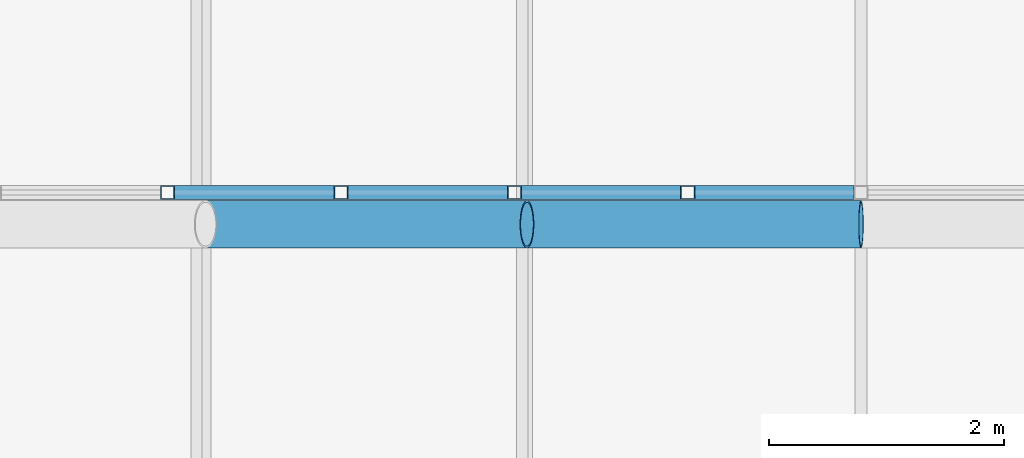
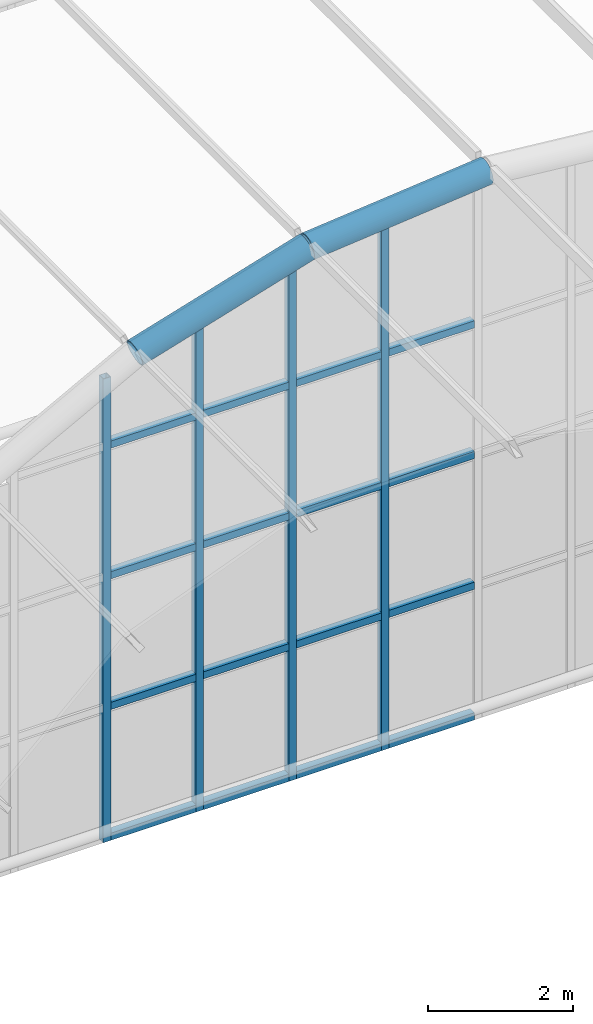
# One storey, part 35 of 121: 22 members, 1 element without a shape of its own.
"""IFC4 building model written with IfcOpenShell, lengths in metres."""

from ifc_helpers import new_model, si_unit, direction, frame, origin, origin_2d, place, context, subcontext, project, spatial, hollow_rectangle, hollow_circle, extrude, material, material_profile, profile_set, type_object, element, aggregate, save


model = new_model("IFC4")

# Units and contexts
model_context = context("Model", 3, precision=1e-05, world=origin(), true_north=direction((0.0, 1.0)))
body_context = subcontext(model_context, "Body", "Model", "MODEL_VIEW")
ifc_project = project(units=[si_unit("LENGTHUNIT", "METRE"), si_unit("AREAUNIT", "SQUARE_METRE"), si_unit("VOLUMEUNIT", "CUBIC_METRE"), si_unit("PLANEANGLEUNIT", "RADIAN"), si_unit("MASSUNIT", "GRAM", prefix="KILO")], contexts=[model_context])

# Site, building, storey
site_placement = place(None, origin())
site = spatial("IfcSite", under=ifc_project, at=site_placement, CompositionType="ELEMENT")
building_placement = place(site_placement, origin())
building = spatial("IfcBuilding", under=site, at=building_placement, Name="Golden Quay Civic Hall", CompositionType="ELEMENT")
storey_placement = place(building_placement, frame((0.0, 0.0, 18.60009765625)))
storey = spatial("IfcBuildingStorey", under=building, at=storey_placement, Name="L04", CompositionType="ELEMENT", Elevation=18.60009765625)

# Curtain wall, members
ifc_material_1 = material(Name="Fire-resisting glass and steel", Category="steel")
curtain_wall_type = type_object("IfcCurtainWallType", Name="Fire-resisting glazed curtain wall EI 120", PredefinedType="NOTDEFINED", material=ifc_material_1)
curtain_wall_placement = place(storey_placement, origin())
curtain_wall = element("IfcCurtainWall", 1, at=curtain_wall_placement, inside=storey, type_object=curtain_wall_type, Name="Curtain wall tympanum fire2", PredefinedType="NOTDEFINED")
ifc_material_2 = material(Name="Steel S355", Category="steel")
ifc_material_profile_1 = material_profile(ifc_material_2, hollow_rectangle(XDim=0.1201171875, YDim=0.1201171875, WallThickness=0.008056640625, at=origin_2d()), Name="SHS 120x120x8")
ifc_profile_set_1 = profile_set([ifc_material_profile_1], Name="Steel S355")
member_type_1 = type_object("IfcMemberType", Name="Fire-resisting steel mullion SHS 120x120x8", PredefinedType="MULLION", material=ifc_profile_set_1)
member_1_placement = place(storey_placement, frame((79.5888671875, 36.27001953125, -0.25), z_axis=(0.0, 0.0, 1.0), x_axis=(0.0, 1.0, 0.0)))
member_1 = element("IfcMember", 2, at=member_1_placement, type_object=member_type_1, Name="Tympanum mullion 6", PredefinedType="MULLION", context=body_context, shape_type="SweptSolid", body=[
    extrude(hollow_rectangle(XDim=0.1201171875, YDim=0.1201171875, WallThickness=0.008056640625, at=origin_2d()), origin(), (0.0, 0.0, 1.0), 7.805419921875),
])
member_2_placement = place(storey_placement, frame((81.066650390625, 36.27001953125, -0.25), z_axis=(0.0, 0.0, 1.0), x_axis=(0.0, 1.0, 0.0)))
member_2 = element("IfcMember", 3, at=member_2_placement, type_object=member_type_1, Name="Tympanum mullion 7", PredefinedType="MULLION", context=body_context, shape_type="SweptSolid", body=[
    extrude(hollow_rectangle(XDim=0.1201171875, YDim=0.1201171875, WallThickness=0.008056640625, at=origin_2d()), origin(), (0.0, 0.0, 1.0), 8.359375),
])
member_3_placement = place(storey_placement, frame((82.54443359375, 36.27001953125, -0.25), z_axis=(0.0, 0.0, 1.0), x_axis=(0.0, 1.0, 0.0)))
member_3 = element("IfcMember", 4, at=member_3_placement, type_object=member_type_1, Name="Tympanum mullion 8", PredefinedType="MULLION", context=body_context, shape_type="SweptSolid", body=[
    extrude(hollow_rectangle(XDim=0.1201171875, YDim=0.1201171875, WallThickness=0.008056640625, at=origin_2d()), origin(), (0.0, 0.0, 1.0), 8.806884765625),
])
member_4_placement = place(storey_placement, frame((84.022216796875, 36.27001953125, -0.25), z_axis=(0.0, 0.0, 1.0), x_axis=(0.0, 1.0, 0.0)))
member_4 = element("IfcMember", 5, at=member_4_placement, type_object=member_type_1, Name="Tympanum mullion 9", PredefinedType="MULLION", context=body_context, shape_type="SweptSolid", body=[
    extrude(hollow_rectangle(XDim=0.1201171875, YDim=0.1201171875, WallThickness=0.008056640625, at=origin_2d()), origin(), (0.0, 0.0, 1.0), 8.99462890625),
])
ifc_material_3 = material(Name="Steel S355", Category="steel")
ifc_material_profile_2 = material_profile(ifc_material_3, hollow_rectangle(XDim=0.1201171875, YDim=0.1201171875, WallThickness=0.008056640625, at=origin_2d()), Name="SHS 120x120x8")
ifc_profile_set_2 = profile_set([ifc_material_profile_2], Name="Steel S355")
member_type_2 = type_object("IfcMemberType", Name="Fire-resisting steel transom SHS 120x120x8", PredefinedType="USERDEFINED", material=ifc_profile_set_2)
member_5_placement = place(storey_placement, frame((79.64892578125, 36.27001953125, -0.190185546875), z_axis=(1.0, 0.0, 0.0), x_axis=(0.0, 1.0, 0.0)))
member_5 = element("IfcMember", 6, at=member_5_placement, type_object=member_type_2, Name="Tympanum transom 6.1", ObjectType="TRANSOM", PredefinedType="USERDEFINED", context=body_context, shape_type="SweptSolid", body=[
    extrude(hollow_rectangle(XDim=0.1201171875, YDim=0.1201171875, WallThickness=0.008056640625, at=origin_2d()), origin(), (0.0, 0.0, 1.0), 1.357666015625),
])
member_6_placement = place(storey_placement, frame((79.64892578125, 36.27001953125, 2.010009765625), z_axis=(1.0, 0.0, 0.0), x_axis=(0.0, 1.0, 0.0)))
member_6 = element("IfcMember", 7, at=member_6_placement, type_object=member_type_2, Name="Tympanum transom 6.2", ObjectType="TRANSOM", PredefinedType="USERDEFINED", context=body_context, shape_type="SweptSolid", body=[
    extrude(hollow_rectangle(XDim=0.1201171875, YDim=0.1201171875, WallThickness=0.008056640625, at=origin_2d()), origin(), (0.0, 0.0, 1.0), 1.357666015625),
])
member_7_placement = place(storey_placement, frame((79.64892578125, 36.27001953125, 4.2099609375), z_axis=(1.0, 0.0, 0.0), x_axis=(0.0, 1.0, 0.0)))
member_7 = element("IfcMember", 8, at=member_7_placement, type_object=member_type_2, Name="Tympanum transom 6.3", ObjectType="TRANSOM", PredefinedType="USERDEFINED", context=body_context, shape_type="SweptSolid", body=[
    extrude(hollow_rectangle(XDim=0.1201171875, YDim=0.1201171875, WallThickness=0.008056640625, at=origin_2d()), origin(), (0.0, 0.0, 1.0), 1.357666015625),
])
member_8_placement = place(storey_placement, frame((79.64892578125, 36.27001953125, 6.409912109375), z_axis=(1.0, 0.0, 0.0), x_axis=(0.0, 1.0, 0.0)))
member_8 = element("IfcMember", 9, at=member_8_placement, type_object=member_type_2, Name="Tympanum transom 6.4", ObjectType="TRANSOM", PredefinedType="USERDEFINED", context=body_context, shape_type="SweptSolid", body=[
    extrude(hollow_rectangle(XDim=0.1201171875, YDim=0.1201171875, WallThickness=0.008056640625, at=origin_2d()), origin(), (0.0, 0.0, 1.0), 1.357666015625),
])
member_9_placement = place(storey_placement, frame((81.126708984375, 36.27001953125, -0.190185546875), z_axis=(1.0, 0.0, 0.0), x_axis=(0.0, 1.0, 0.0)))
member_9 = element("IfcMember", 10, at=member_9_placement, type_object=member_type_2, Name="Tympanum transom 7.1", ObjectType="TRANSOM", PredefinedType="USERDEFINED", context=body_context, shape_type="SweptSolid", body=[
    extrude(hollow_rectangle(XDim=0.1201171875, YDim=0.1201171875, WallThickness=0.008056640625, at=origin_2d()), origin(), (0.0, 0.0, 1.0), 1.357666015625),
])
member_10_placement = place(storey_placement, frame((81.126708984375, 36.27001953125, 2.010009765625), z_axis=(1.0, 0.0, 0.0), x_axis=(0.0, 1.0, 0.0)))
member_10 = element("IfcMember", 11, at=member_10_placement, type_object=member_type_2, Name="Tympanum transom 7.2", ObjectType="TRANSOM", PredefinedType="USERDEFINED", context=body_context, shape_type="SweptSolid", body=[
    extrude(hollow_rectangle(XDim=0.1201171875, YDim=0.1201171875, WallThickness=0.008056640625, at=origin_2d()), origin(), (0.0, 0.0, 1.0), 1.357666015625),
])
member_11_placement = place(storey_placement, frame((81.126708984375, 36.27001953125, 4.2099609375), z_axis=(1.0, 0.0, 0.0), x_axis=(0.0, 1.0, 0.0)))
member_11 = element("IfcMember", 12, at=member_11_placement, type_object=member_type_2, Name="Tympanum transom 7.3", ObjectType="TRANSOM", PredefinedType="USERDEFINED", context=body_context, shape_type="SweptSolid", body=[
    extrude(hollow_rectangle(XDim=0.1201171875, YDim=0.1201171875, WallThickness=0.008056640625, at=origin_2d()), origin(), (0.0, 0.0, 1.0), 1.357666015625),
])
member_12_placement = place(storey_placement, frame((81.126708984375, 36.27001953125, 6.409912109375), z_axis=(1.0, 0.0, 0.0), x_axis=(0.0, 1.0, 0.0)))
member_12 = element("IfcMember", 13, at=member_12_placement, type_object=member_type_2, Name="Tympanum transom 7.4", ObjectType="TRANSOM", PredefinedType="USERDEFINED", context=body_context, shape_type="SweptSolid", body=[
    extrude(hollow_rectangle(XDim=0.1201171875, YDim=0.1201171875, WallThickness=0.008056640625, at=origin_2d()), origin(), (0.0, 0.0, 1.0), 1.357666015625),
])
member_13_placement = place(storey_placement, frame((82.6044921875, 36.27001953125, -0.190185546875), z_axis=(1.0, 0.0, 0.0), x_axis=(0.0, 1.0, 0.0)))
member_13 = element("IfcMember", 14, at=member_13_placement, type_object=member_type_2, Name="Tympanum transom 8.1", ObjectType="TRANSOM", PredefinedType="USERDEFINED", context=body_context, shape_type="SweptSolid", body=[
    extrude(hollow_rectangle(XDim=0.1201171875, YDim=0.1201171875, WallThickness=0.008056640625, at=origin_2d()), origin(), (0.0, 0.0, 1.0), 1.357666015625),
])
member_14_placement = place(storey_placement, frame((82.6044921875, 36.27001953125, 2.010009765625), z_axis=(1.0, 0.0, 0.0), x_axis=(0.0, 1.0, 0.0)))
member_14 = element("IfcMember", 15, at=member_14_placement, type_object=member_type_2, Name="Tympanum transom 8.2", ObjectType="TRANSOM", PredefinedType="USERDEFINED", context=body_context, shape_type="SweptSolid", body=[
    extrude(hollow_rectangle(XDim=0.1201171875, YDim=0.1201171875, WallThickness=0.008056640625, at=origin_2d()), origin(), (0.0, 0.0, 1.0), 1.357666015625),
])
member_15_placement = place(storey_placement, frame((82.6044921875, 36.27001953125, 4.2099609375), z_axis=(1.0, 0.0, 0.0), x_axis=(0.0, 1.0, 0.0)))
member_15 = element("IfcMember", 16, at=member_15_placement, type_object=member_type_2, Name="Tympanum transom 8.3", ObjectType="TRANSOM", PredefinedType="USERDEFINED", context=body_context, shape_type="SweptSolid", body=[
    extrude(hollow_rectangle(XDim=0.1201171875, YDim=0.1201171875, WallThickness=0.008056640625, at=origin_2d()), origin(), (0.0, 0.0, 1.0), 1.357666015625),
])
member_16_placement = place(storey_placement, frame((82.6044921875, 36.27001953125, 6.409912109375), z_axis=(1.0, 0.0, 0.0), x_axis=(0.0, 1.0, 0.0)))
member_16 = element("IfcMember", 17, at=member_16_placement, type_object=member_type_2, Name="Tympanum transom 8.4", ObjectType="TRANSOM", PredefinedType="USERDEFINED", context=body_context, shape_type="SweptSolid", body=[
    extrude(hollow_rectangle(XDim=0.1201171875, YDim=0.1201171875, WallThickness=0.008056640625, at=origin_2d()), origin(), (0.0, 0.0, 1.0), 1.357666015625),
])
member_17_placement = place(storey_placement, frame((84.082275390625, 36.27001953125, -0.190185546875), z_axis=(1.0, 0.0, 0.0), x_axis=(0.0, 1.0, 0.0)))
member_17 = element("IfcMember", 18, at=member_17_placement, type_object=member_type_2, Name="Tympanum transom 9.1", ObjectType="TRANSOM", PredefinedType="USERDEFINED", context=body_context, shape_type="SweptSolid", body=[
    extrude(hollow_rectangle(XDim=0.1201171875, YDim=0.1201171875, WallThickness=0.008056640625, at=origin_2d()), origin(), (0.0, 0.0, 1.0), 1.357666015625),
])
member_18_placement = place(storey_placement, frame((84.082275390625, 36.27001953125, 2.010009765625), z_axis=(1.0, 0.0, 0.0), x_axis=(0.0, 1.0, 0.0)))
member_18 = element("IfcMember", 19, at=member_18_placement, type_object=member_type_2, Name="Tympanum transom 9.2", ObjectType="TRANSOM", PredefinedType="USERDEFINED", context=body_context, shape_type="SweptSolid", body=[
    extrude(hollow_rectangle(XDim=0.1201171875, YDim=0.1201171875, WallThickness=0.008056640625, at=origin_2d()), origin(), (0.0, 0.0, 1.0), 1.357666015625),
])
member_19_placement = place(storey_placement, frame((84.082275390625, 36.27001953125, 4.2099609375), z_axis=(1.0, 0.0, 0.0), x_axis=(0.0, 1.0, 0.0)))
member_19 = element("IfcMember", 20, at=member_19_placement, type_object=member_type_2, Name="Tympanum transom 9.3", ObjectType="TRANSOM", PredefinedType="USERDEFINED", context=body_context, shape_type="SweptSolid", body=[
    extrude(hollow_rectangle(XDim=0.1201171875, YDim=0.1201171875, WallThickness=0.008056640625, at=origin_2d()), origin(), (0.0, 0.0, 1.0), 1.357666015625),
])
member_20_placement = place(storey_placement, frame((84.082275390625, 36.27001953125, 6.409912109375), z_axis=(1.0, 0.0, 0.0), x_axis=(0.0, 1.0, 0.0)))
member_20 = element("IfcMember", 21, at=member_20_placement, type_object=member_type_2, Name="Tympanum transom 9.4", ObjectType="TRANSOM", PredefinedType="USERDEFINED", context=body_context, shape_type="SweptSolid", body=[
    extrude(hollow_rectangle(XDim=0.1201171875, YDim=0.1201171875, WallThickness=0.008056640625, at=origin_2d()), origin(), (0.0, 0.0, 1.0), 1.357666015625),
])
aggregate(curtain_wall, [member_1, member_2, member_3, member_4, member_5, member_6, member_7, member_8, member_9, member_10, member_11, member_12, member_13, member_14, member_15, member_16, member_17, member_18, member_19, member_20])

# Members
ifc_material_4 = material(Name="Steel S355", Category="steel")
ifc_material_profile_3 = material_profile(ifc_material_4, hollow_circle(Radius=0.203125, WallThickness=0.01611328125, at=origin_2d()), Name="CHS 406.4x16")
ifc_profile_set_3 = profile_set([ifc_material_profile_3], Name="Steel S355")
member_type_3 = type_object("IfcMemberType", Name="Steel arch rib CHS 406.4x16", PredefinedType="USERDEFINED", material=ifc_profile_set_3)
member_21_placement = place(storey_placement, frame((79.91259765625, 36.0, 7.990478515625), z_axis=(0.957095401463, 0.0, 0.289773001673), x_axis=(0.0, 1.0, 0.0)))
element("IfcMember", 22, at=member_21_placement, inside=storey, type_object=member_type_3, Name="Arch rib 5 segment 5", ObjectType="ARCH RIB", PredefinedType="USERDEFINED", context=body_context, shape_type="SweptSolid", body=[
    extrude(hollow_circle(Radius=0.203125, WallThickness=0.01611328125, at=origin_2d()), origin(), (0.0, 0.0, 1.0), 2.862060546875),
])
member_22_placement = place(storey_placement, frame((82.65185546875, 36.0, 8.81982421875), z_axis=(0.995201360973, 0.0, 0.097848102266), x_axis=(0.0, 1.0, 0.0)))
element("IfcMember", 23, at=member_22_placement, inside=storey, type_object=member_type_3, Name="Arch rib 5 segment 6", ObjectType="ARCH RIB", PredefinedType="USERDEFINED", context=body_context, shape_type="SweptSolid", body=[
    extrude(hollow_circle(Radius=0.203125, WallThickness=0.01611328125, at=origin_2d()), origin(), (0.0, 0.0, 1.0), 2.86181640625),
])

save(model, "model.ifc")
